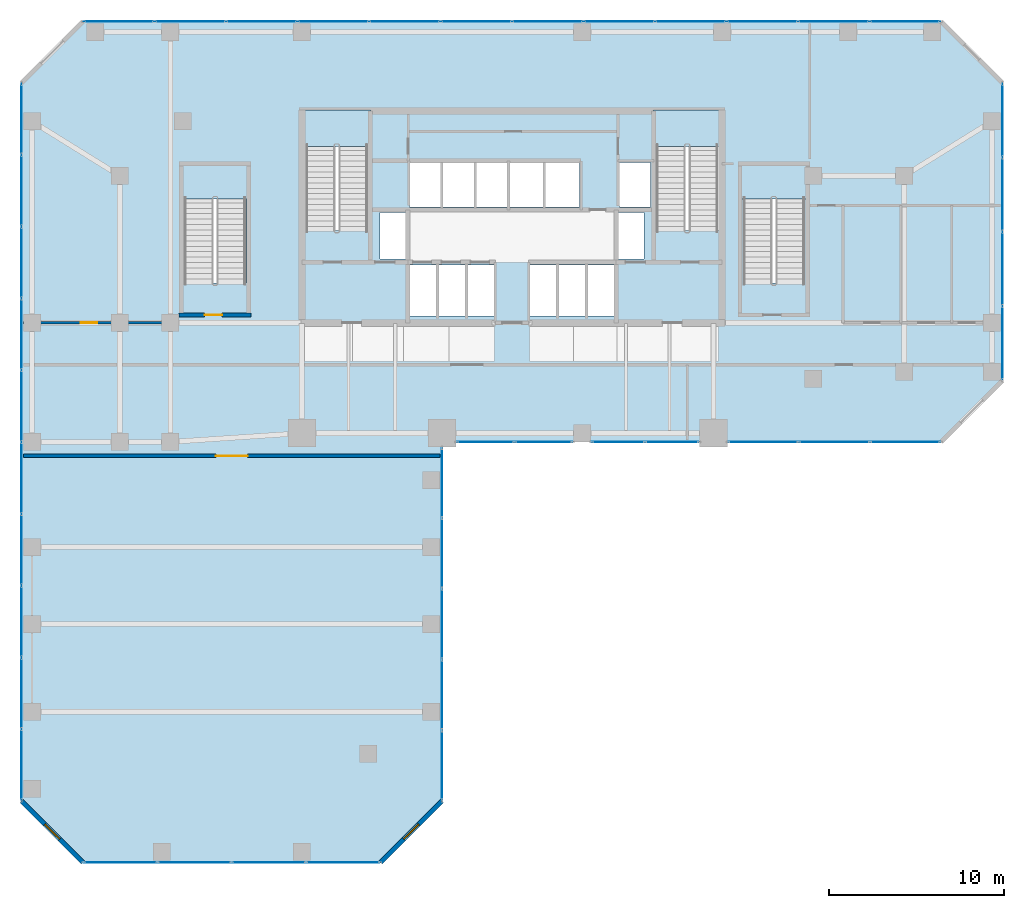
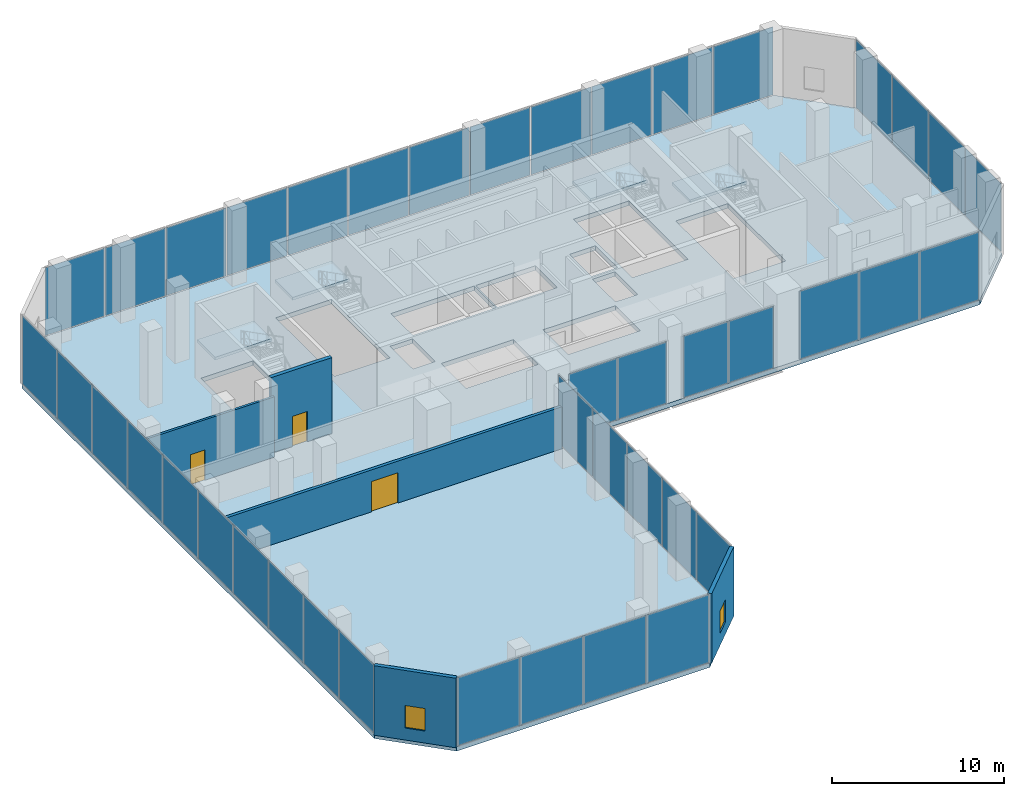
# One storey, part 20 of 24: 42 plates, 5 slabs, 5 walls, 3 doors, 2 windows, 5 openings, 12 elements without a shape of their own.
"""IFC4 building model written with IfcOpenShell, lengths in metres."""

from ifc_helpers import new_model, si_unit, direction, frame, frame_2d, origin, origin_2d, place, context, subcontext, project, spatial, polyline, rectangle, outline, extrude, material, layer, layer_set, type_object, element, fill, aggregate, save


model = new_model("IFC4")

# Units and contexts
model_context = context("Model", 3, precision=1e-05, world=origin(), true_north=direction((0.0, 1.0)))
body_context = subcontext(model_context, "Body", "Model", "MODEL_VIEW")
ifc_project = project(units=[si_unit("LENGTHUNIT", "METRE"), si_unit("AREAUNIT", "SQUARE_METRE"), si_unit("VOLUMEUNIT", "CUBIC_METRE"), si_unit("PLANEANGLEUNIT", "RADIAN"), si_unit("MASSUNIT", "GRAM", prefix="KILO")], contexts=[model_context])

# Site, building, storey
site_placement = place(None, origin())
site = spatial("IfcSite", under=ifc_project, at=site_placement, CompositionType="ELEMENT")
building_placement = place(site_placement, origin())
building = spatial("IfcBuilding", under=site, at=building_placement, Name="Catumbela Crestline Tower", CompositionType="ELEMENT")
storey_placement = place(building_placement, frame((0.0, 0.0, 15.9)))
storey = spatial("IfcBuildingStorey", under=building, at=storey_placement, Name="L03", CompositionType="ELEMENT", Elevation=15.9)

# Curtain wall, plates
ifc_material_1 = material(Name="Aluminium alloy AW-6060-T66", Category="aluminium")
ifc_layer_1 = layer(ifc_material_1, 0.18, Name="Aluminium alloy AW-6060-T66")
ifc_layer_set_1 = layer_set([ifc_layer_1], Name="Aluminium alloy AW-6060-T66")
curtain_wall_type = type_object("IfcCurtainWallType", Name="CWS-POD", PredefinedType="USERDEFINED", material=ifc_layer_set_1)
curtain_wall_1_placement = place(storey_placement, origin())
curtain_wall_1 = element("IfcCurtainWall", 1, at=curtain_wall_1_placement, inside=storey, type_object=curtain_wall_type, Name="L03 Stick Curtain Wall CW-L03-E0S1", ObjectType="STICK", PredefinedType="USERDEFINED")
ifc_material_2 = material(Name="Low-E laminated solar-control double glazing", Category="glass")
ifc_layer_2 = layer(ifc_material_2, 0.032, Name="Low-E laminated solar-control double glazing")
ifc_layer_set_2 = layer_set([ifc_layer_2], Name="Low-E laminated solar-control double glazing")
plate_type = type_object("IfcPlateType", Name="PNL-GLZ-PD", PredefinedType="CURTAIN_PANEL", material=ifc_layer_set_2)
plate_1_placement = place(storey_placement, frame((5.6412, 0.0, 0.06), z_axis=(0.0, 0.0, 1.0), x_axis=(1.0, 0.0, 0.0)))
plate_1 = element("IfcPlate", 2, at=plate_1_placement, type_object=plate_type, Name="CWS-POD panel 1.1", PredefinedType="CURTAIN_PANEL", context=body_context, shape_type="SweptSolid", body=[
    extrude(rectangle(XDim=4.1525, YDim=0.034, at=origin_2d()), origin(), (0.0, 0.0, 1.0), 4.82),
])
plate_2_placement = place(storey_placement, frame((9.875, 0.0, 0.06), z_axis=(0.0, 0.0, 1.0), x_axis=(1.0, 0.0, 0.0)))
plate_2 = element("IfcPlate", 3, at=plate_2_placement, type_object=plate_type, Name="CWS-POD panel 2.1", PredefinedType="CURTAIN_PANEL", context=body_context, shape_type="SweptSolid", body=[
    extrude(rectangle(XDim=4.185, YDim=0.034, at=origin_2d()), origin(), (0.0, 0.0, 1.0), 4.82),
])
plate_3_placement = place(storey_placement, frame((14.125, 0.0, 0.06), z_axis=(0.0, 0.0, 1.0), x_axis=(1.0, 0.0, 0.0)))
plate_3 = element("IfcPlate", 4, at=plate_3_placement, type_object=plate_type, Name="CWS-POD panel 3.1", PredefinedType="CURTAIN_PANEL", context=body_context, shape_type="SweptSolid", body=[
    extrude(rectangle(XDim=4.185, YDim=0.034, at=origin_2d()), origin(), (0.0, 0.0, 1.0), 4.82),
])
plate_4_placement = place(storey_placement, frame((18.3588, 0.0, 0.06), z_axis=(0.0, 0.0, 1.0), x_axis=(1.0, 0.0, 0.0)))
plate_4 = element("IfcPlate", 5, at=plate_4_placement, type_object=plate_type, Name="CWS-POD panel 4.1", PredefinedType="CURTAIN_PANEL", context=body_context, shape_type="SweptSolid", body=[
    extrude(rectangle(XDim=4.1525, YDim=0.034, at=origin_2d()), origin(), (0.0, 0.0, 1.0), 4.82),
])
aggregate(curtain_wall_1, [plate_1, plate_2, plate_3, plate_4])

curtain_wall_2_placement = place(storey_placement, origin())
curtain_wall_2 = element("IfcCurtainWall", 6, at=curtain_wall_2_placement, inside=storey, type_object=curtain_wall_type, Name="L03 Stick Curtain Wall CW-L03-E2S1", ObjectType="STICK", PredefinedType="USERDEFINED")
plate_5_placement = place(storey_placement, frame((24.0, 5.5362, 0.06), z_axis=(0.0, 0.0, 1.0), x_axis=(0.0, 1.0, 0.0)))
plate_5 = element("IfcPlate", 7, at=plate_5_placement, type_object=plate_type, Name="CWS-POD panel 1.1", PredefinedType="CURTAIN_PANEL", context=body_context, shape_type="SweptSolid", body=[
    extrude(rectangle(XDim=3.9425, YDim=0.034, at=origin_2d()), origin(), (0.0, 0.0, 1.0), 4.82),
])
plate_6_placement = place(storey_placement, frame((24.0, 9.56, 0.06), z_axis=(0.0, 0.0, 1.0), x_axis=(0.0, 1.0, 0.0)))
plate_6 = element("IfcPlate", 8, at=plate_6_placement, type_object=plate_type, Name="CWS-POD panel 2.1", PredefinedType="CURTAIN_PANEL", context=body_context, shape_type="SweptSolid", body=[
    extrude(rectangle(XDim=3.975, YDim=0.034, at=origin_2d()), origin(), (0.0, 0.0, 1.0), 4.82),
])
plate_7_placement = place(storey_placement, frame((24.0, 13.6, 0.06), z_axis=(0.0, 0.0, 1.0), x_axis=(0.0, 1.0, 0.0)))
plate_7 = element("IfcPlate", 9, at=plate_7_placement, type_object=plate_type, Name="CWS-POD panel 3.1", PredefinedType="CURTAIN_PANEL", context=body_context, shape_type="SweptSolid", body=[
    extrude(rectangle(XDim=3.975, YDim=0.034, at=origin_2d()), origin(), (0.0, 0.0, 1.0), 4.82),
])
plate_8_placement = place(storey_placement, frame((24.0, 17.64, 0.06), z_axis=(0.0, 0.0, 1.0), x_axis=(0.0, 1.0, 0.0)))
plate_8 = element("IfcPlate", 10, at=plate_8_placement, type_object=plate_type, Name="CWS-POD panel 4.1", PredefinedType="CURTAIN_PANEL", context=body_context, shape_type="SweptSolid", body=[
    extrude(rectangle(XDim=3.975, YDim=0.034, at=origin_2d()), origin(), (0.0, 0.0, 1.0), 4.82),
])
plate_9_placement = place(storey_placement, frame((24.0, 21.6638, 0.06), z_axis=(0.0, 0.0, 1.0), x_axis=(0.0, 1.0, 0.0)))
plate_9 = element("IfcPlate", 11, at=plate_9_placement, type_object=plate_type, Name="CWS-POD panel 5.1", PredefinedType="CURTAIN_PANEL", context=body_context, shape_type="SweptSolid", body=[
    extrude(rectangle(XDim=3.9425, YDim=0.034, at=origin_2d()), origin(), (0.0, 0.0, 1.0), 4.82),
])
aggregate(curtain_wall_2, [plate_5, plate_6, plate_7, plate_8, plate_9])

curtain_wall_3_placement = place(storey_placement, origin())
curtain_wall_3 = element("IfcCurtainWall", 12, at=curtain_wall_3_placement, inside=storey, type_object=curtain_wall_type, Name="L03 Stick Curtain Wall CW-L03-E3S1", ObjectType="STICK", PredefinedType="USERDEFINED")
plate_10_placement = place(storey_placement, frame((26.4912, 24.0, 0.06), z_axis=(0.0, 0.0, 1.0), x_axis=(1.0, 0.0, 0.0)))
plate_10 = element("IfcPlate", 13, at=plate_10_placement, type_object=plate_type, Name="CWS-POD panel 1.1", PredefinedType="CURTAIN_PANEL", context=body_context, shape_type="SweptSolid", body=[
    extrude(rectangle(XDim=3.2525, YDim=0.034, at=origin_2d()), origin(), (0.0, 0.0, 1.0), 4.36),
])
plate_11_placement = place(storey_placement, frame((29.8088, 24.0, 0.06), z_axis=(0.0, 0.0, 1.0), x_axis=(1.0, 0.0, 0.0)))
plate_11 = element("IfcPlate", 14, at=plate_11_placement, type_object=plate_type, Name="CWS-POD panel 2.1", PredefinedType="CURTAIN_PANEL", context=body_context, shape_type="SweptSolid", body=[
    extrude(rectangle(XDim=3.2525, YDim=0.034, at=origin_2d()), origin(), (0.0, 0.0, 1.0), 4.36),
])
aggregate(curtain_wall_3, [plate_10, plate_11])

curtain_wall_4_placement = place(storey_placement, origin())
curtain_wall_4 = element("IfcCurtainWall", 15, at=curtain_wall_4_placement, inside=storey, type_object=curtain_wall_type, Name="L03 Stick Curtain Wall CW-L03-E3S2", ObjectType="STICK", PredefinedType="USERDEFINED")
plate_12_placement = place(storey_placement, frame((34.0662, 24.0, 0.06), z_axis=(0.0, 0.0, 1.0), x_axis=(1.0, 0.0, 0.0)))
plate_12 = element("IfcPlate", 16, at=plate_12_placement, type_object=plate_type, Name="CWS-POD panel 1.1", PredefinedType="CURTAIN_PANEL", context=body_context, shape_type="SweptSolid", body=[
    extrude(rectangle(XDim=3.0025, YDim=0.034, at=origin_2d()), origin(), (0.0, 0.0, 1.0), 4.36),
])
plate_13_placement = place(storey_placement, frame((37.1338, 24.0, 0.06), z_axis=(0.0, 0.0, 1.0), x_axis=(1.0, 0.0, 0.0)))
plate_13 = element("IfcPlate", 17, at=plate_13_placement, type_object=plate_type, Name="CWS-POD panel 2.1", PredefinedType="CURTAIN_PANEL", context=body_context, shape_type="SweptSolid", body=[
    extrude(rectangle(XDim=3.0025, YDim=0.034, at=origin_2d()), origin(), (0.0, 0.0, 1.0), 4.36),
])
aggregate(curtain_wall_4, [plate_12, plate_13])

curtain_wall_5_placement = place(storey_placement, origin())
curtain_wall_5 = element("IfcCurtainWall", 18, at=curtain_wall_5_placement, inside=storey, type_object=curtain_wall_type, Name="L03 Stick Curtain Wall CW-L03-E3S3", ObjectType="STICK", PredefinedType="USERDEFINED")
plate_14_placement = place(storey_placement, frame((42.3496, 24.0, 0.06), z_axis=(0.0, 0.0, 1.0), x_axis=(1.0, 0.0, 0.0)))
plate_14 = element("IfcPlate", 19, at=plate_14_placement, type_object=plate_type, Name="CWS-POD panel 1.1", PredefinedType="CURTAIN_PANEL", context=body_context, shape_type="SweptSolid", body=[
    extrude(rectangle(XDim=3.9692, YDim=0.034, at=origin_2d()), origin(), (0.0, 0.0, 1.0), 4.82),
])
plate_15_placement = place(storey_placement, frame((46.4, 24.0, 0.06), z_axis=(0.0, 0.0, 1.0), x_axis=(1.0, 0.0, 0.0)))
plate_15 = element("IfcPlate", 20, at=plate_15_placement, type_object=plate_type, Name="CWS-POD panel 2.1", PredefinedType="CURTAIN_PANEL", context=body_context, shape_type="SweptSolid", body=[
    extrude(rectangle(XDim=4.0017, YDim=0.034, at=origin_2d()), origin(), (0.0, 0.0, 1.0), 4.82),
])
plate_16_placement = place(storey_placement, frame((50.4504, 24.0, 0.06), z_axis=(0.0, 0.0, 1.0), x_axis=(1.0, 0.0, 0.0)))
plate_16 = element("IfcPlate", 21, at=plate_16_placement, type_object=plate_type, Name="CWS-POD panel 3.1", PredefinedType="CURTAIN_PANEL", context=body_context, shape_type="SweptSolid", body=[
    extrude(rectangle(XDim=3.9692, YDim=0.034, at=origin_2d()), origin(), (0.0, 0.0, 1.0), 4.82),
])
aggregate(curtain_wall_5, [plate_14, plate_15, plate_16])

curtain_wall_6_placement = place(storey_placement, origin())
curtain_wall_6 = element("IfcCurtainWall", 22, at=curtain_wall_6_placement, inside=storey, type_object=curtain_wall_type, Name="L03 Stick Curtain Wall CW-L03-E5S1", ObjectType="STICK", PredefinedType="USERDEFINED")
plate_17_placement = place(storey_placement, frame((56.0, 29.6412, 0.06), z_axis=(0.0, 0.0, 1.0), x_axis=(0.0, 1.0, 0.0)))
plate_17 = element("IfcPlate", 23, at=plate_17_placement, type_object=plate_type, Name="CWS-POD panel 1.1", PredefinedType="CURTAIN_PANEL", context=body_context, shape_type="SweptSolid", body=[
    extrude(rectangle(XDim=4.1525, YDim=0.034, at=origin_2d()), origin(), (0.0, 0.0, 1.0), 4.82),
])
plate_18_placement = place(storey_placement, frame((56.0, 33.875, 0.06), z_axis=(0.0, 0.0, 1.0), x_axis=(0.0, 1.0, 0.0)))
plate_18 = element("IfcPlate", 24, at=plate_18_placement, type_object=plate_type, Name="CWS-POD panel 2.1", PredefinedType="CURTAIN_PANEL", context=body_context, shape_type="SweptSolid", body=[
    extrude(rectangle(XDim=4.185, YDim=0.034, at=origin_2d()), origin(), (0.0, 0.0, 1.0), 4.82),
])
plate_19_placement = place(storey_placement, frame((56.0, 38.125, 0.06), z_axis=(0.0, 0.0, 1.0), x_axis=(0.0, 1.0, 0.0)))
plate_19 = element("IfcPlate", 25, at=plate_19_placement, type_object=plate_type, Name="CWS-POD panel 3.1", PredefinedType="CURTAIN_PANEL", context=body_context, shape_type="SweptSolid", body=[
    extrude(rectangle(XDim=4.185, YDim=0.034, at=origin_2d()), origin(), (0.0, 0.0, 1.0), 4.82),
])
plate_20_placement = place(storey_placement, frame((56.0, 42.3588, 0.06), z_axis=(0.0, 0.0, 1.0), x_axis=(0.0, 1.0, 0.0)))
plate_20 = element("IfcPlate", 26, at=plate_20_placement, type_object=plate_type, Name="CWS-POD panel 4.1", PredefinedType="CURTAIN_PANEL", context=body_context, shape_type="SweptSolid", body=[
    extrude(rectangle(XDim=4.1525, YDim=0.034, at=origin_2d()), origin(), (0.0, 0.0, 1.0), 4.82),
])
aggregate(curtain_wall_6, [plate_17, plate_18, plate_19, plate_20])

curtain_wall_7_placement = place(storey_placement, origin())
curtain_wall_7 = element("IfcCurtainWall", 27, at=curtain_wall_7_placement, inside=storey, type_object=curtain_wall_type, Name="L03 Stick Curtain Wall CW-L03-E7S1", ObjectType="STICK", PredefinedType="USERDEFINED")
plate_21_placement = place(storey_placement, frame((50.4421, 48.0, 0.06), z_axis=(0.0, 0.0, 1.0), x_axis=(-1.0, 0.0, 0.0)))
plate_21 = element("IfcPlate", 28, at=plate_21_placement, type_object=plate_type, Name="CWS-POD panel 1.1", PredefinedType="CURTAIN_PANEL", context=body_context, shape_type="SweptSolid", body=[
    extrude(rectangle(XDim=3.9858, YDim=0.034, at=origin_2d()), origin(), (0.0, 0.0, 1.0), 4.82),
])
plate_22_placement = place(storey_placement, frame((46.375, 48.0, 0.06), z_axis=(0.0, 0.0, 1.0), x_axis=(-1.0, 0.0, 0.0)))
plate_22 = element("IfcPlate", 29, at=plate_22_placement, type_object=plate_type, Name="CWS-POD panel 2.1", PredefinedType="CURTAIN_PANEL", context=body_context, shape_type="SweptSolid", body=[
    extrude(rectangle(XDim=4.0183, YDim=0.034, at=origin_2d()), origin(), (0.0, 0.0, 1.0), 4.82),
])
plate_23_placement = place(storey_placement, frame((42.2917, 48.0, 0.06), z_axis=(0.0, 0.0, 1.0), x_axis=(-1.0, 0.0, 0.0)))
plate_23 = element("IfcPlate", 30, at=plate_23_placement, type_object=plate_type, Name="CWS-POD panel 3.1", PredefinedType="CURTAIN_PANEL", context=body_context, shape_type="SweptSolid", body=[
    extrude(rectangle(XDim=4.0183, YDim=0.034, at=origin_2d()), origin(), (0.0, 0.0, 1.0), 4.82),
])
plate_24_placement = place(storey_placement, frame((38.2083, 48.0, 0.06), z_axis=(0.0, 0.0, 1.0), x_axis=(-1.0, 0.0, 0.0)))
plate_24 = element("IfcPlate", 31, at=plate_24_placement, type_object=plate_type, Name="CWS-POD panel 4.1", PredefinedType="CURTAIN_PANEL", context=body_context, shape_type="SweptSolid", body=[
    extrude(rectangle(XDim=4.0183, YDim=0.034, at=origin_2d()), origin(), (0.0, 0.0, 1.0), 4.82),
])
plate_25_placement = place(storey_placement, frame((34.125, 48.0, 0.06), z_axis=(0.0, 0.0, 1.0), x_axis=(-1.0, 0.0, 0.0)))
plate_25 = element("IfcPlate", 32, at=plate_25_placement, type_object=plate_type, Name="CWS-POD panel 5.1", PredefinedType="CURTAIN_PANEL", context=body_context, shape_type="SweptSolid", body=[
    extrude(rectangle(XDim=4.0183, YDim=0.034, at=origin_2d()), origin(), (0.0, 0.0, 1.0), 4.82),
])
plate_26_placement = place(storey_placement, frame((30.0417, 48.0, 0.06), z_axis=(0.0, 0.0, 1.0), x_axis=(-1.0, 0.0, 0.0)))
plate_26 = element("IfcPlate", 33, at=plate_26_placement, type_object=plate_type, Name="CWS-POD panel 6.1", PredefinedType="CURTAIN_PANEL", context=body_context, shape_type="SweptSolid", body=[
    extrude(rectangle(XDim=4.0183, YDim=0.034, at=origin_2d()), origin(), (0.0, 0.0, 1.0), 4.82),
])
plate_27_placement = place(storey_placement, frame((25.9583, 48.0, 0.06), z_axis=(0.0, 0.0, 1.0), x_axis=(-1.0, 0.0, 0.0)))
plate_27 = element("IfcPlate", 34, at=plate_27_placement, type_object=plate_type, Name="CWS-POD panel 7.1", PredefinedType="CURTAIN_PANEL", context=body_context, shape_type="SweptSolid", body=[
    extrude(rectangle(XDim=4.0183, YDim=0.034, at=origin_2d()), origin(), (0.0, 0.0, 1.0), 4.82),
])
plate_28_placement = place(storey_placement, frame((21.875, 48.0, 0.06), z_axis=(0.0, 0.0, 1.0), x_axis=(-1.0, 0.0, 0.0)))
plate_28 = element("IfcPlate", 35, at=plate_28_placement, type_object=plate_type, Name="CWS-POD panel 8.1", PredefinedType="CURTAIN_PANEL", context=body_context, shape_type="SweptSolid", body=[
    extrude(rectangle(XDim=4.0183, YDim=0.034, at=origin_2d()), origin(), (0.0, 0.0, 1.0), 4.82),
])
plate_29_placement = place(storey_placement, frame((17.7917, 48.0, 0.06), z_axis=(0.0, 0.0, 1.0), x_axis=(-1.0, 0.0, 0.0)))
plate_29 = element("IfcPlate", 36, at=plate_29_placement, type_object=plate_type, Name="CWS-POD panel 9.1", PredefinedType="CURTAIN_PANEL", context=body_context, shape_type="SweptSolid", body=[
    extrude(rectangle(XDim=4.0183, YDim=0.034, at=origin_2d()), origin(), (0.0, 0.0, 1.0), 4.82),
])
plate_30_placement = place(storey_placement, frame((13.7083, 48.0, 0.06), z_axis=(0.0, 0.0, 1.0), x_axis=(-1.0, 0.0, 0.0)))
plate_30 = element("IfcPlate", 37, at=plate_30_placement, type_object=plate_type, Name="CWS-POD panel 10.1", PredefinedType="CURTAIN_PANEL", context=body_context, shape_type="SweptSolid", body=[
    extrude(rectangle(XDim=4.0183, YDim=0.034, at=origin_2d()), origin(), (0.0, 0.0, 1.0), 4.82),
])
plate_31_placement = place(storey_placement, frame((9.625, 48.0, 0.06), z_axis=(0.0, 0.0, 1.0), x_axis=(-1.0, 0.0, 0.0)))
plate_31 = element("IfcPlate", 38, at=plate_31_placement, type_object=plate_type, Name="CWS-POD panel 11.1", PredefinedType="CURTAIN_PANEL", context=body_context, shape_type="SweptSolid", body=[
    extrude(rectangle(XDim=4.0183, YDim=0.034, at=origin_2d()), origin(), (0.0, 0.0, 1.0), 4.82),
])
plate_32_placement = place(storey_placement, frame((5.5579, 48.0, 0.06), z_axis=(0.0, 0.0, 1.0), x_axis=(-1.0, 0.0, 0.0)))
plate_32 = element("IfcPlate", 39, at=plate_32_placement, type_object=plate_type, Name="CWS-POD panel 12.1", PredefinedType="CURTAIN_PANEL", context=body_context, shape_type="SweptSolid", body=[
    extrude(rectangle(XDim=3.9858, YDim=0.034, at=origin_2d()), origin(), (0.0, 0.0, 1.0), 4.82),
])
aggregate(curtain_wall_7, [plate_21, plate_22, plate_23, plate_24, plate_25, plate_26, plate_27, plate_28, plate_29, plate_30, plate_31, plate_32])

curtain_wall_8_placement = place(storey_placement, origin())
curtain_wall_8 = element("IfcCurtainWall", 40, at=curtain_wall_8_placement, inside=storey, type_object=curtain_wall_type, Name="L03 Stick Curtain Wall CW-L03-E9S1", ObjectType="STICK", PredefinedType="USERDEFINED")
plate_33_placement = place(storey_placement, frame((0.0, 42.4338, 0.06), z_axis=(0.0, 0.0, 1.0), x_axis=(0.0, -1.0, 0.0)))
plate_33 = element("IfcPlate", 41, at=plate_33_placement, type_object=plate_type, Name="CWS-POD panel 1.1", PredefinedType="CURTAIN_PANEL", context=body_context, shape_type="SweptSolid", body=[
    extrude(rectangle(XDim=4.0025, YDim=0.034, at=origin_2d()), origin(), (0.0, 0.0, 1.0), 4.82),
])
plate_34_placement = place(storey_placement, frame((0.0, 38.35, 0.06), z_axis=(0.0, 0.0, 1.0), x_axis=(0.0, -1.0, 0.0)))
plate_34 = element("IfcPlate", 42, at=plate_34_placement, type_object=plate_type, Name="CWS-POD panel 2.1", PredefinedType="CURTAIN_PANEL", context=body_context, shape_type="SweptSolid", body=[
    extrude(rectangle(XDim=4.035, YDim=0.034, at=origin_2d()), origin(), (0.0, 0.0, 1.0), 4.82),
])
plate_35_placement = place(storey_placement, frame((0.0, 34.25, 0.06), z_axis=(0.0, 0.0, 1.0), x_axis=(0.0, -1.0, 0.0)))
plate_35 = element("IfcPlate", 43, at=plate_35_placement, type_object=plate_type, Name="CWS-POD panel 3.1", PredefinedType="CURTAIN_PANEL", context=body_context, shape_type="SweptSolid", body=[
    extrude(rectangle(XDim=4.035, YDim=0.034, at=origin_2d()), origin(), (0.0, 0.0, 1.0), 4.82),
])
plate_36_placement = place(storey_placement, frame((0.0, 30.15, 0.06), z_axis=(0.0, 0.0, 1.0), x_axis=(0.0, -1.0, 0.0)))
plate_36 = element("IfcPlate", 44, at=plate_36_placement, type_object=plate_type, Name="CWS-POD panel 4.1", PredefinedType="CURTAIN_PANEL", context=body_context, shape_type="SweptSolid", body=[
    extrude(rectangle(XDim=4.035, YDim=0.034, at=origin_2d()), origin(), (0.0, 0.0, 1.0), 4.82),
])
plate_37_placement = place(storey_placement, frame((0.0, 26.05, 0.06), z_axis=(0.0, 0.0, 1.0), x_axis=(0.0, -1.0, 0.0)))
plate_37 = element("IfcPlate", 45, at=plate_37_placement, type_object=plate_type, Name="CWS-POD panel 5.1", PredefinedType="CURTAIN_PANEL", context=body_context, shape_type="SweptSolid", body=[
    extrude(rectangle(XDim=4.035, YDim=0.034, at=origin_2d()), origin(), (0.0, 0.0, 1.0), 4.82),
])
plate_38_placement = place(storey_placement, frame((0.0, 21.95, 0.06), z_axis=(0.0, 0.0, 1.0), x_axis=(0.0, -1.0, 0.0)))
plate_38 = element("IfcPlate", 46, at=plate_38_placement, type_object=plate_type, Name="CWS-POD panel 6.1", PredefinedType="CURTAIN_PANEL", context=body_context, shape_type="SweptSolid", body=[
    extrude(rectangle(XDim=4.035, YDim=0.034, at=origin_2d()), origin(), (0.0, 0.0, 1.0), 4.82),
])
plate_39_placement = place(storey_placement, frame((0.0, 17.85, 0.06), z_axis=(0.0, 0.0, 1.0), x_axis=(0.0, -1.0, 0.0)))
plate_39 = element("IfcPlate", 47, at=plate_39_placement, type_object=plate_type, Name="CWS-POD panel 7.1", PredefinedType="CURTAIN_PANEL", context=body_context, shape_type="SweptSolid", body=[
    extrude(rectangle(XDim=4.035, YDim=0.034, at=origin_2d()), origin(), (0.0, 0.0, 1.0), 4.82),
])
plate_40_placement = place(storey_placement, frame((0.0, 13.75, 0.06), z_axis=(0.0, 0.0, 1.0), x_axis=(0.0, -1.0, 0.0)))
plate_40 = element("IfcPlate", 48, at=plate_40_placement, type_object=plate_type, Name="CWS-POD panel 8.1", PredefinedType="CURTAIN_PANEL", context=body_context, shape_type="SweptSolid", body=[
    extrude(rectangle(XDim=4.035, YDim=0.034, at=origin_2d()), origin(), (0.0, 0.0, 1.0), 4.82),
])
plate_41_placement = place(storey_placement, frame((0.0, 9.65, 0.06), z_axis=(0.0, 0.0, 1.0), x_axis=(0.0, -1.0, 0.0)))
plate_41 = element("IfcPlate", 49, at=plate_41_placement, type_object=plate_type, Name="CWS-POD panel 9.1", PredefinedType="CURTAIN_PANEL", context=body_context, shape_type="SweptSolid", body=[
    extrude(rectangle(XDim=4.035, YDim=0.034, at=origin_2d()), origin(), (0.0, 0.0, 1.0), 4.82),
])
plate_42_placement = place(storey_placement, frame((0.0, 5.5662, 0.06), z_axis=(0.0, 0.0, 1.0), x_axis=(0.0, -1.0, 0.0)))
plate_42 = element("IfcPlate", 50, at=plate_42_placement, type_object=plate_type, Name="CWS-POD panel 10.1", PredefinedType="CURTAIN_PANEL", context=body_context, shape_type="SweptSolid", body=[
    extrude(rectangle(XDim=4.0025, YDim=0.034, at=origin_2d()), origin(), (0.0, 0.0, 1.0), 4.82),
])
aggregate(curtain_wall_8, [plate_33, plate_34, plate_35, plate_36, plate_37, plate_38, plate_39, plate_40, plate_41, plate_42])

# Stair, slab
ifc_material_3 = material(Name="Concrete C45/55", Category="concrete")
stair_type = type_object("IfcStairType", Name="ST-DLG", PredefinedType="HALF_TURN_STAIR", material=ifc_material_3)
stair_1_placement = place(storey_placement, origin())
stair_1 = element("IfcStair", 51, at=stair_1_placement, inside=storey, type_object=stair_type, Name="L03 West Core Pressurised Exit Stair ST-01", PredefinedType="HALF_TURN_STAIR")
ifc_layer_3 = layer(ifc_material_3, 0.2, Name="Concrete C45/55")
ifc_layer_set_3 = layer_set([ifc_layer_3], Name="Concrete C45/55")
slab_type_1 = type_object("IfcSlabType", Name="SL-LND", PredefinedType="LANDING", material=ifc_layer_set_3)
slab_1_placement = place(storey_placement, frame((0.0, 0.0, 2.5)))
slab_1 = element("IfcSlab", 52, at=slab_1_placement, type_object=slab_type_1, Name="ST-01 landing 1", PredefinedType="LANDING", context=body_context, shape_type="SweptSolid", body=[
    extrude(outline(polyline([(19.91, 40.88), (19.91, 42.96), (16.09, 42.96), (16.09, 40.88), (19.91, 40.88)])), origin(), (0.0, 0.0, 1.0), 0.2),
])
aggregate(stair_1, [slab_1])

stair_2_placement = place(storey_placement, origin())
stair_2 = element("IfcStair", 53, at=stair_2_placement, inside=storey, type_object=stair_type, Name="L03 East Core Pressurised Exit Stair ST-02", PredefinedType="HALF_TURN_STAIR")
slab_2_placement = place(storey_placement, frame((0.0, 0.0, 2.5)))
slab_2 = element("IfcSlab", 54, at=slab_2_placement, type_object=slab_type_1, Name="ST-02 landing 1", PredefinedType="LANDING", context=body_context, shape_type="SweptSolid", body=[
    extrude(outline(polyline([(39.91, 40.88), (39.91, 42.96), (36.09, 42.96), (36.09, 40.88), (39.91, 40.88)])), origin(), (0.0, 0.0, 1.0), 0.2),
])
aggregate(stair_2, [slab_2])

stair_3_placement = place(storey_placement, origin())
stair_3 = element("IfcStair", 55, at=stair_3_placement, inside=storey, type_object=stair_type, Name="L03 South-West Podium Exit Stair ST-03", PredefinedType="HALF_TURN_STAIR")
slab_3_placement = place(storey_placement, frame((0.0, 0.0, 2.5)))
slab_3 = element("IfcSlab", 56, at=slab_3_placement, type_object=slab_type_1, Name="ST-03 landing 1", PredefinedType="LANDING", context=body_context, shape_type="SweptSolid", body=[
    extrude(outline(polyline([(12.96, 37.88), (12.96, 39.96), (9.14, 39.96), (9.14, 37.88), (12.96, 37.88)])), origin(), (0.0, 0.0, 1.0), 0.2),
])
aggregate(stair_3, [slab_3])

stair_4_placement = place(storey_placement, origin())
stair_4 = element("IfcStair", 57, at=stair_4_placement, inside=storey, type_object=stair_type, Name="L03 East Galleria Podium Exit Stair ST-04", PredefinedType="HALF_TURN_STAIR")
slab_4_placement = place(storey_placement, frame((0.0, 0.0, 2.5)))
slab_4 = element("IfcSlab", 58, at=slab_4_placement, type_object=slab_type_1, Name="ST-04 landing 1", PredefinedType="LANDING", context=body_context, shape_type="SweptSolid", body=[
    extrude(outline(polyline([(44.86, 37.88), (44.86, 39.96), (41.04, 39.96), (41.04, 37.88), (44.86, 37.88)])), origin(), (0.0, 0.0, 1.0), 0.2),
])
aggregate(stair_4, [slab_4])

# Slab
ifc_material_4 = material(Name="Concrete C50/60", Category="concrete")
ifc_layer_4 = layer(ifc_material_4, 0.32, Name="Concrete C50/60")
ifc_layer_set_4 = layer_set([ifc_layer_4], Name="Concrete C50/60")
slab_type_2 = type_object("IfcSlabType", Name="SL-320P", PredefinedType="FLOOR", material=ifc_layer_set_4)
slab_5_placement = place(storey_placement, frame((0.0, 0.0, -0.32)))
element("IfcSlab", 59, at=slab_5_placement, inside=storey, type_object=slab_type_2, Name="L03 Structural Floor Slab", PredefinedType="FLOOR", context=body_context, shape_type="SweptSolid", body=[
    extrude(outline(polyline([(3.5, 0.0), (20.5, 0.0), (24.0, 3.5), (24.0, 24.0), (52.5, 24.0), (56.0, 27.5), (56.0, 44.5), (52.5, 48.0), (3.5, 48.0), (0.0, 44.5), (0.0, 3.5), (3.5, 0.0)]), holes=[polyline([(16.13, 36.08), (19.87, 36.08), (19.87, 42.92), (16.13, 42.92), (16.13, 36.08)]), polyline([(36.13, 36.08), (39.87, 36.08), (39.87, 42.92), (36.13, 42.92), (36.13, 36.08)]), polyline([(12.8, 33.08), (12.8, 39.8), (9.3, 39.8), (9.3, 33.08), (12.8, 33.08)]), polyline([(44.7, 33.08), (44.7, 39.8), (41.2, 39.8), (41.2, 33.08), (44.7, 33.08)]), polyline([(22.15, 31.2), (27.0, 31.2), (27.0, 34.1), (22.15, 34.1), (22.15, 31.2)]), polyline([(29.0, 31.2), (33.85, 31.2), (33.85, 34.1), (29.0, 34.1), (29.0, 31.2)]), polyline([(22.15, 37.4), (27.75, 37.4), (27.75, 39.95), (22.15, 39.95), (22.15, 37.4)]), polyline([(27.85, 37.4), (31.85, 37.4), (31.85, 39.95), (27.85, 39.95), (27.85, 37.4)]), polyline([(20.45, 34.45), (21.95, 34.45), (21.95, 37.1), (20.45, 37.1), (20.45, 34.45)]), polyline([(34.05, 34.45), (35.55, 34.45), (35.55, 37.1), (34.05, 37.1), (34.05, 34.45)]), polyline([(34.15, 37.4), (35.9, 37.4), (35.9, 39.95), (34.15, 39.95), (34.15, 37.4)])]), origin(), (0.0, 0.0, 1.0), 0.32),
])

# Wall, opening, door
ifc_layer_5 = layer(ifc_material_4, 0.25, Name="Concrete C50/60")
ifc_layer_set_5 = layer_set([ifc_layer_5], Name="Concrete C50/60")
wall_type_1 = type_object("IfcWallType", Name="CW-250D", PredefinedType="SHEAR", material=ifc_layer_set_5)
wall_1_placement = place(storey_placement, frame((9.0, 31.25, 0.0), z_axis=(0.0, 0.0, 1.0), x_axis=(1.0, 0.0, 0.0)))
wall_1 = element("IfcWall", 60, at=wall_1_placement, inside=storey, type_object=wall_type_1, Name="L03 Structural Core Shear Wall ST3S", PredefinedType="SHEAR", context=body_context, shape_type="SweptSolid", body=[
    extrude(rectangle(XDim=4.1, YDim=0.25, at=frame_2d((2.05, 0.0))), origin(), (0.0, 0.0, 1.0), 5.4),
])
opening_1_placement = place(wall_1_placement, frame((1.45, 0.0, 0.0)))
opening_1 = element("IfcOpeningElement", 61, at=opening_1_placement, cuts=wall_1, Name="Opening DF9-100", PredefinedType="OPENING", context=body_context, shape_type="SweptSolid", body=[
    extrude(rectangle(XDim=1.0, YDim=2.15, at=frame_2d((0.5, 1.075))), frame((0.0, 0.135, 0.0), z_axis=(0.0, -1.0, 0.0), x_axis=(1.0, 0.0, 0.0)), (0.0, 0.0, 1.0), 0.27),
])
ifc_material_5 = material(Name="Stainless steel EN 1.4401", Category="steel")
door_type_1 = type_object("IfcDoorType", Name="DF9-100", OperationType="NOTDEFINED", PredefinedType="DOOR", material=ifc_material_5)
door_1_placement = place(opening_1_placement, origin())
door_1 = element("IfcDoor", 62, at=door_1_placement, inside=storey, type_object=door_type_1, Name="L03 Interior Door DR-L03-ST03", OperationType="SINGLE_SWING_LEFT", OverallHeight=2.15, OverallWidth=1.0, PredefinedType="DOOR", context=body_context, shape_type="SweptSolid", body=[
    extrude(rectangle(XDim=1.0, YDim=2.15, at=frame_2d((0.5, 1.075))), frame((0.0, 0.025, 0.0), z_axis=(0.0, -1.0, 0.0), x_axis=(1.0, 0.0, 0.0)), (0.0, 0.0, 1.0), 0.05),
])
fill(opening_1, door_1)

ifc_material_6 = material(Name="Acoustic gypsum and mineral-wool partition")
ifc_layer_6 = layer(ifc_material_6, 0.2, Name="Acoustic gypsum and mineral-wool partition")
ifc_layer_set_6 = layer_set([ifc_layer_6], Name="Acoustic gypsum and mineral-wool partition")
wall_type_2 = type_object("IfcWallType", Name="WC-200", PredefinedType="PARTITIONING", material=ifc_layer_set_6)
wall_2_placement = place(storey_placement, frame((0.1, 23.2, 0.0), z_axis=(0.0, 0.0, 1.0), x_axis=(1.0, 0.0, 0.0)))
wall_2 = element("IfcWall", 63, at=wall_2_placement, inside=storey, type_object=wall_type_2, Name="L03 Interior Partition PW-L03-BLR", PredefinedType="PARTITIONING", context=body_context, shape_type="SweptSolid", body=[
    extrude(rectangle(XDim=23.8, YDim=0.2, at=frame_2d((11.9, 0.0))), origin(), (0.0, 0.0, 1.0), 2.98),
])
opening_2_placement = place(wall_2_placement, frame((11.0, 0.0, 0.0)))
opening_2 = element("IfcOpeningElement", 64, at=opening_2_placement, cuts=wall_2, Name="Opening DD-180", PredefinedType="OPENING", context=body_context, shape_type="SweptSolid", body=[
    extrude(rectangle(XDim=1.8, YDim=2.15, at=frame_2d((0.9, 1.075))), frame((0.0, 0.11, 0.0), z_axis=(0.0, -1.0, 0.0), x_axis=(1.0, 0.0, 0.0)), (0.0, 0.0, 1.0), 0.22),
])
door_type_2 = type_object("IfcDoorType", Name="DD-180", OperationType="NOTDEFINED", PredefinedType="DOOR", material=ifc_material_1)
door_2_placement = place(opening_2_placement, origin())
door_2 = element("IfcDoor", 65, at=door_2_placement, inside=storey, type_object=door_type_2, Name="L03 Interior Door DR-L03-BLR", OperationType="DOUBLE_DOOR_SINGLE_SWING", OverallHeight=2.15, OverallWidth=1.8, PredefinedType="DOOR", context=body_context, shape_type="SweptSolid", body=[
    extrude(rectangle(XDim=1.8, YDim=2.15, at=frame_2d((0.9, 1.075))), frame((0.0, 0.025, 0.0), z_axis=(0.0, -1.0, 0.0), x_axis=(1.0, 0.0, 0.0)), (0.0, 0.0, 1.0), 0.05),
])
fill(opening_2, door_2)

# Wall, opening, window
ifc_material_7 = material(Name="Angolan grey-ochre granite", Category="masonry")
ifc_layer_7 = layer(ifc_material_7, 0.25, Name="Angolan grey-ochre granite")
ifc_layer_set_7 = layer_set([ifc_layer_7], Name="Angolan grey-ochre granite")
wall_type_3 = type_object("IfcWallType", Name="WE-250", PredefinedType="STANDARD", material=ifc_layer_set_7)
wall_3_placement = place(storey_placement, frame((20.5, 0.0, 0.0), z_axis=(0.0, 0.0, 1.0), x_axis=(0.707106781187, 0.707106781187, 0.0)))
wall_3 = element("IfcWall", 66, at=wall_3_placement, inside=storey, type_object=wall_type_3, Name="L03 Granite Punched Window Wall 1-1", PredefinedType="STANDARD", context=body_context, shape_type="SweptSolid", body=[
    extrude(rectangle(XDim=4.9497, YDim=0.25, at=frame_2d((2.4748, 0.0))), origin(), (0.0, 0.0, 1.0), 4.94),
])
opening_3_placement = place(wall_3_placement, frame((1.8748, 0.0, 0.85)))
opening_3 = element("IfcOpeningElement", 67, at=opening_3_placement, cuts=wall_3, Name="Opening WN-02", PredefinedType="OPENING", context=body_context, shape_type="SweptSolid", body=[
    extrude(rectangle(XDim=1.2, YDim=1.6, at=frame_2d((0.6, 0.8))), frame((0.0, 0.135, 0.0), z_axis=(0.0, -1.0, 0.0), x_axis=(1.0, 0.0, 0.0)), (0.0, 0.0, 1.0), 0.27),
])
window_type = type_object("IfcWindowType", Name="WO-1200", PartitioningType="SINGLE_PANEL", PredefinedType="WINDOW", material=ifc_material_2)
window_1_placement = place(opening_3_placement, origin())
window_1 = element("IfcWindow", 68, at=window_1_placement, inside=storey, type_object=window_type, Name="L03 Facade Vision Window 36", OverallHeight=1.6, OverallWidth=1.2, PartitioningType="SINGLE_PANEL", PredefinedType="WINDOW", context=body_context, shape_type="SweptSolid", body=[
    extrude(rectangle(XDim=1.2, YDim=1.6, at=frame_2d((0.6, 0.8))), frame((0.0, 0.03, 0.0), z_axis=(0.0, -1.0, 0.0), x_axis=(1.0, 0.0, 0.0)), (0.0, 0.0, 1.0), 0.06),
])
fill(opening_3, window_1)

wall_4_placement = place(storey_placement, frame((0.0, 3.5, 0.0), z_axis=(0.0, 0.0, 1.0), x_axis=(0.707106781187, -0.707106781187, 0.0)))
wall_4 = element("IfcWall", 69, at=wall_4_placement, inside=storey, type_object=wall_type_3, Name="L03 Granite Punched Window Wall 10-1", PredefinedType="STANDARD", context=body_context, shape_type="SweptSolid", body=[
    extrude(rectangle(XDim=4.9497, YDim=0.25, at=frame_2d((2.4748, 0.0))), origin(), (0.0, 0.0, 1.0), 4.94),
])
opening_4_placement = place(wall_4_placement, frame((1.8748, 0.0, 0.85)))
opening_4 = element("IfcOpeningElement", 70, at=opening_4_placement, cuts=wall_4, Name="Opening WN-02", PredefinedType="OPENING", context=body_context, shape_type="SweptSolid", body=[
    extrude(rectangle(XDim=1.2, YDim=1.6, at=frame_2d((0.6, 0.8))), frame((0.0, 0.135, 0.0), z_axis=(0.0, -1.0, 0.0), x_axis=(1.0, 0.0, 0.0)), (0.0, 0.0, 1.0), 0.27),
])
window_2_placement = place(opening_4_placement, origin())
window_2 = element("IfcWindow", 71, at=window_2_placement, inside=storey, type_object=window_type, Name="L03 Facade Vision Window 40", OverallHeight=1.6, OverallWidth=1.2, PartitioningType="SINGLE_PANEL", PredefinedType="WINDOW", context=body_context, shape_type="SweptSolid", body=[
    extrude(rectangle(XDim=1.2, YDim=1.6, at=frame_2d((0.6, 0.8))), frame((0.0, 0.03, 0.0), z_axis=(0.0, -1.0, 0.0), x_axis=(1.0, 0.0, 0.0)), (0.0, 0.0, 1.0), 0.06),
])
fill(opening_4, window_2)

# Wall, opening, door
ifc_layer_8 = layer(ifc_material_6, 0.15, Name="Acoustic gypsum and mineral-wool partition")
ifc_layer_set_8 = layer_set([ifc_layer_8], Name="Acoustic gypsum and mineral-wool partition")
wall_type_4 = type_object("IfcWallType", Name="WP-150", PredefinedType="PARTITIONING", material=ifc_layer_set_8)
wall_5_placement = place(storey_placement, frame((0.1, 30.8, 0.0), z_axis=(0.0, 0.0, 1.0), x_axis=(1.0, 0.0, 0.0)))
wall_5 = element("IfcWall", 72, at=wall_5_placement, inside=storey, type_object=wall_type_4, Name="L03 Interior Partition PW-L03-NW1", PredefinedType="PARTITIONING", context=body_context, shape_type="SweptSolid", body=[
    extrude(rectangle(XDim=8.9, YDim=0.15, at=frame_2d((4.45, 0.0))), origin(), (0.0, 0.0, 1.0), 4.29),
])
opening_5_placement = place(wall_5_placement, frame((3.2684, 0.0, 0.0)))
opening_5 = element("IfcOpeningElement", 73, at=opening_5_placement, cuts=wall_5, Name="Opening DF6-095", PredefinedType="OPENING", context=body_context, shape_type="SweptSolid", body=[
    extrude(rectangle(XDim=0.95, YDim=2.15, at=frame_2d((0.475, 1.075))), frame((0.0, 0.085, 0.0), z_axis=(0.0, -1.0, 0.0), x_axis=(1.0, 0.0, 0.0)), (0.0, 0.0, 1.0), 0.17),
])
door_type_3 = type_object("IfcDoorType", Name="DF6-095", OperationType="NOTDEFINED", PredefinedType="DOOR", material=ifc_material_1)
door_3_placement = place(opening_5_placement, origin())
door_3 = element("IfcDoor", 74, at=door_3_placement, inside=storey, type_object=door_type_3, Name="L03 Interior Door DR-L03-NW1", OperationType="SINGLE_SWING_LEFT", OverallHeight=2.15, OverallWidth=0.95, PredefinedType="DOOR", context=body_context, shape_type="SweptSolid", body=[
    extrude(rectangle(XDim=0.95, YDim=2.15, at=frame_2d((0.475, 1.075))), frame((0.0, 0.025, 0.0), z_axis=(0.0, -1.0, 0.0), x_axis=(1.0, 0.0, 0.0)), (0.0, 0.0, 1.0), 0.05),
])
fill(opening_5, door_3)

save(model, "model.ifc")
